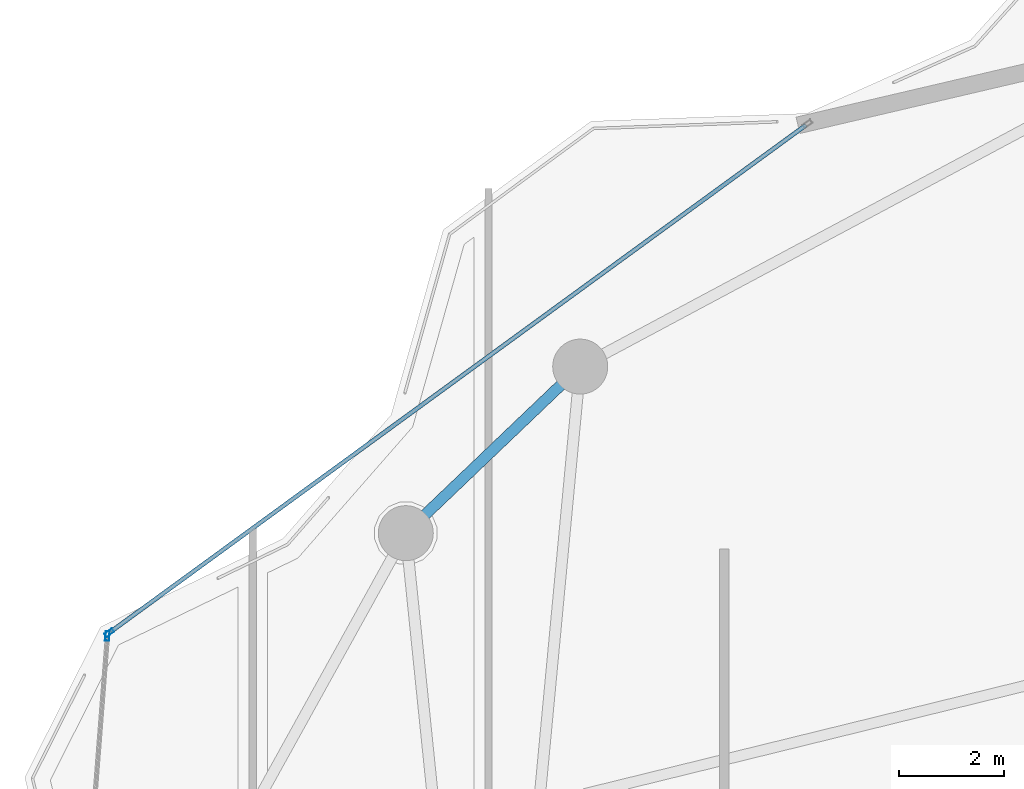
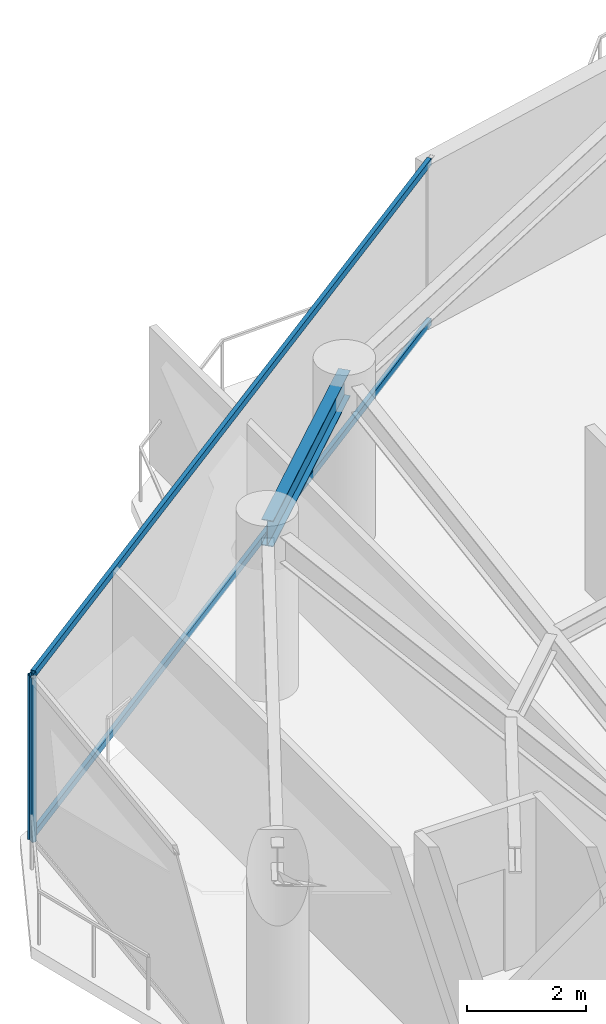
# One storey, part 17 of 31: 4 members, 1 beam, 2 elements without a shape of their own.
"""IFC4 building model written with IfcOpenShell, lengths in metres."""

from ifc_helpers import new_model, si_unit, direction, frame, origin, origin_2d, place, context, subcontext, project, spatial, hollow_rectangle, i_section, extrude, material, layer, layer_set, material_profile, profile_set, type_object, element, aggregate, save


model = new_model("IFC4")

# Units and contexts
model_context = context("Model", 3, precision=1e-05, world=origin(), true_north=direction((0.0, 1.0)))
body_context = subcontext(model_context, "Body", "Model", "MODEL_VIEW")
ifc_project = project(units=[si_unit("LENGTHUNIT", "METRE"), si_unit("AREAUNIT", "SQUARE_METRE"), si_unit("VOLUMEUNIT", "CUBIC_METRE"), si_unit("PLANEANGLEUNIT", "RADIAN"), si_unit("MASSUNIT", "GRAM", prefix="KILO")], contexts=[model_context])

# Site, building, storey
site_placement = place(None, origin())
site = spatial("IfcSite", under=ifc_project, at=site_placement, CompositionType="ELEMENT")
building_placement = place(site_placement, origin())
building = spatial("IfcBuilding", under=site, at=building_placement, Name="Kazevale Care Tower and Concert Hall", CompositionType="ELEMENT")
storey_placement = place(building_placement, frame((0.0, 0.0, 220.800048828125)))
storey = spatial("IfcBuildingStorey", under=building, at=storey_placement, Name="L58", CompositionType="ELEMENT", Elevation=220.800048828125)

# Curtain wall, member
ifc_material_1 = material(Name="Aluminium 6063-T6 and Low-E Glass", Category="aluminium")
ifc_layer = layer(ifc_material_1, 0.179931640625)
ifc_layer_set = layer_set([ifc_layer], Name="Aluminium 6063-T6 and Low-E Glass")
curtain_wall_type = type_object("IfcCurtainWallType", Name="Waist & Upper Residential Curtain Wall CW-4", PredefinedType="NOTDEFINED", material=ifc_layer_set)
curtain_wall_1_placement = place(storey_placement, origin())
curtain_wall_1 = element("IfcCurtainWall", 1, at=curtain_wall_1_placement, inside=storey, type_object=curtain_wall_type, Name="cw:L58:f13", PredefinedType="NOTDEFINED")
ifc_material_2 = material(Name="Aluminium 6063-T6", Category="aluminium")
ifc_material_profile_1 = material_profile(ifc_material_2, hollow_rectangle(XDim=0.080078125, YDim=0.179931640625, WallThickness=0.0048828125, at=origin_2d()), Name="ALU80x180x5")
ifc_profile_set_1 = profile_set([ifc_material_profile_1], Name="Aluminium 6063-T6")
member_type_1 = type_object("IfcMemberType", Name="CW-4 Mullion ALU80x180x5", PredefinedType="MULLION", material=ifc_profile_set_1)
member_1_placement = place(storey_placement, frame((14.722900390625, 49.865234375, 0.0), z_axis=(0.0, 0.0, 1.0), x_axis=(-0.996989311372, 0.077539106325, 0.0)))
member_1 = element("IfcMember", 2, at=member_1_placement, type_object=member_type_1, Name="CW-4 mullion 2", PredefinedType="MULLION", context=body_context, shape_type="SweptSolid", body=[
    extrude(hollow_rectangle(XDim=0.080078125, YDim=0.179931640625, WallThickness=0.0048828125, at=origin_2d()), origin(), (0.0, 0.0, 1.0), 3.35986328125),
])
aggregate(curtain_wall_1, [member_1])

# Curtain wall, members
curtain_wall_2_placement = place(storey_placement, origin())
curtain_wall_2 = element("IfcCurtainWall", 3, at=curtain_wall_2_placement, inside=storey, type_object=curtain_wall_type, Name="cw:L58:f14", PredefinedType="NOTDEFINED")
member_2_placement = place(storey_placement, frame((14.75830078125, 49.928466796875, 0.0), z_axis=(0.0, 0.0, 1.0), x_axis=(-0.588910374145, 0.808198348937, 0.0)))
member_2 = element("IfcMember", 4, at=member_2_placement, type_object=member_type_1, Name="CW-4 mullion 1", PredefinedType="MULLION", context=body_context, shape_type="SweptSolid", body=[
    extrude(hollow_rectangle(XDim=0.080078125, YDim=0.179931640625, WallThickness=0.0048828125, at=origin_2d()), origin(), (0.0, 0.0, 1.0), 3.35986328125),
])
ifc_material_profile_2 = material_profile(ifc_material_2, hollow_rectangle(XDim=0.080078125, YDim=0.139892578125, WallThickness=0.00390625, at=origin_2d()), Name="ALU80x140x4")
ifc_profile_set_2 = profile_set([ifc_material_profile_2], Name="Aluminium 6063-T6")
member_type_2 = type_object("IfcMemberType", Name="CW-4 Transom ALU80x140x4", PredefinedType="USERDEFINED", material=ifc_profile_set_2)
member_3_placement = place(storey_placement, frame((14.790771484375, 49.9521484375, 0.0400390625), z_axis=(0.808197463946, 0.588911588672, 0.0), x_axis=(-0.588911588672, 0.808197463946, 0.0)))
member_3 = element("IfcMember", 5, at=member_3_placement, type_object=member_type_2, Name="CW-4 transom 1.1", ObjectType="TRANSOM", PredefinedType="USERDEFINED", context=body_context, shape_type="SweptSolid", body=[
    extrude(hollow_rectangle(XDim=0.080078125, YDim=0.139892578125, WallThickness=0.00390625, at=origin_2d()), origin(), (0.0, 0.0, 1.0), 16.416259765625),
])
member_4_placement = place(storey_placement, frame((14.790771484375, 49.9521484375, 3.320068359375), z_axis=(0.808197463946, 0.588911588672, 0.0), x_axis=(-0.588911588672, 0.808197463946, 0.0)))
member_4 = element("IfcMember", 6, at=member_4_placement, type_object=member_type_2, Name="CW-4 transom 1.2", ObjectType="TRANSOM", PredefinedType="USERDEFINED", context=body_context, shape_type="SweptSolid", body=[
    extrude(hollow_rectangle(XDim=0.080078125, YDim=0.139892578125, WallThickness=0.00390625, at=origin_2d()), origin(), (0.0, 0.0, 1.0), 16.416259765625),
])
aggregate(curtain_wall_2, [member_2, member_3, member_4])

# Beam
ifc_material_3 = material(Name="Steel ASTM A572 Gr 50", Category="steel")
ifc_material_profile_3 = material_profile(ifc_material_3, i_section(OverallWidth=0.208984375, OverallDepth=0.532958984375, WebThickness=0.01025390625, FlangeThickness=0.015625, at=origin_2d()), Name="W530x92")
ifc_profile_set_3 = profile_set([ifc_material_profile_3], Name="Steel ASTM A572 Gr 50")
beam_type = type_object("IfcBeamType", Name="Upper Ring Beam W530x92", PredefinedType="BEAM", material=ifc_profile_set_3)
beam_placement = place(storey_placement, frame((23.75, 55.010009765625, 3.093505859375), z_axis=(-0.723223118589, -0.690614451585, 0.0), x_axis=(0.690614451585, -0.723223118589, 0.0)))
element("IfcBeam", 7, at=beam_placement, inside=storey, type_object=beam_type, Name="beam:L58:ring:07", PredefinedType="BEAM", context=body_context, shape_type="SweptSolid", body=[
    extrude(i_section(OverallWidth=0.208984375, OverallDepth=0.532958984375, WebThickness=0.01025390625, FlangeThickness=0.015625, at=origin_2d()), origin(), (0.0, 0.0, 1.0), 4.6044921875),
])

save(model, "model.ifc")
